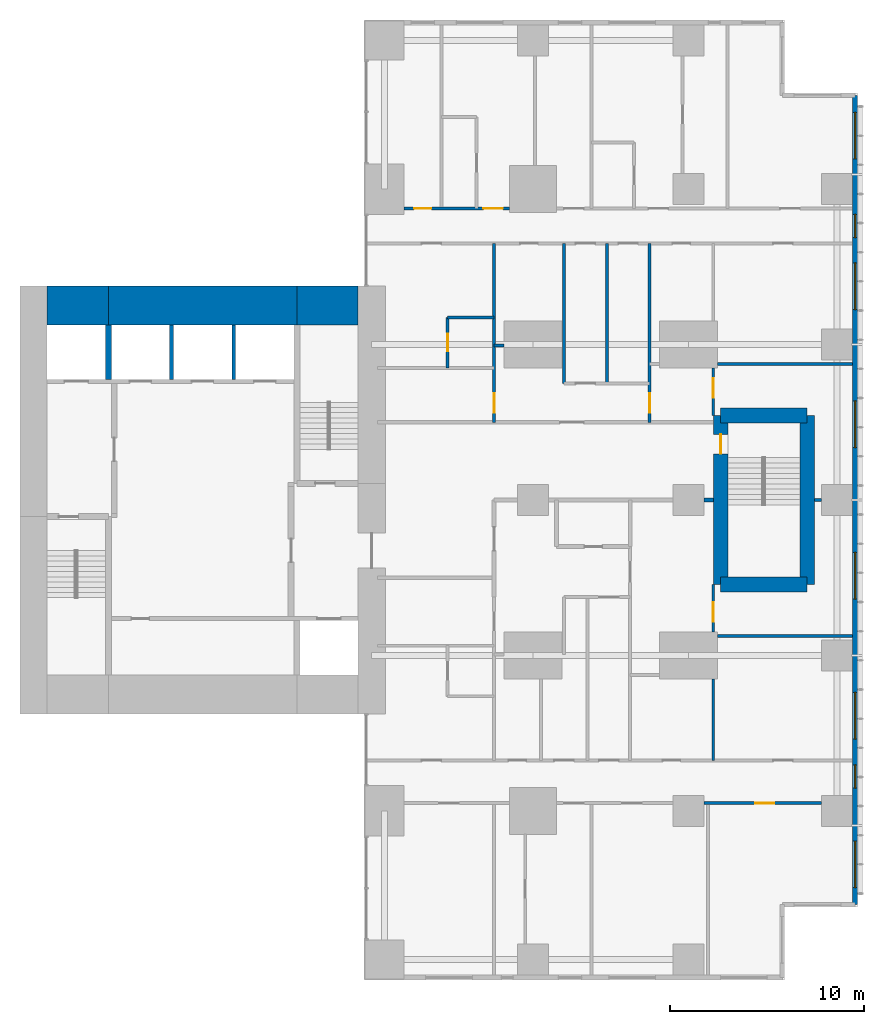
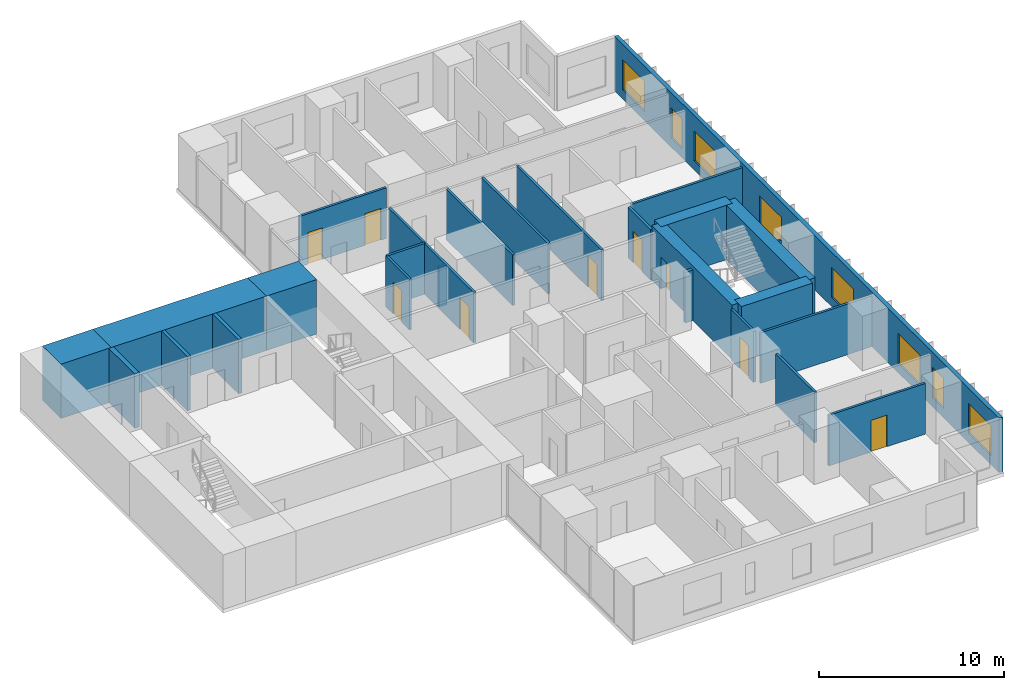
# One storey, part 9 of 12: 27 walls, 9 doors, 8 windows, 17 openings.
"""IFC4 building model written with IfcOpenShell, lengths in metres."""

from ifc_helpers import new_model, si_unit, direction, frame, frame_2d, origin, place, context, subcontext, project, spatial, rectangle, extrude, material, layer, layer_set, type_object, element, fill, save


model = new_model("IFC4")

# Units and contexts
model_context = context("Model", 3, precision=1e-05, world=origin(), true_north=direction((0.0, 1.0)))
body_context = subcontext(model_context, "Body", "Model", "MODEL_VIEW")
ifc_project = project(units=[si_unit("LENGTHUNIT", "METRE"), si_unit("AREAUNIT", "SQUARE_METRE"), si_unit("VOLUMEUNIT", "CUBIC_METRE"), si_unit("PLANEANGLEUNIT", "RADIAN"), si_unit("MASSUNIT", "GRAM", prefix="KILO")], contexts=[model_context])

# Site, building, storey
site_placement = place(None, origin())
site = spatial("IfcSite", under=ifc_project, at=site_placement, CompositionType="ELEMENT")
building_placement = place(site_placement, origin())
building = spatial("IfcBuilding", under=site, at=building_placement, Name="Cleftline Residences", CompositionType="ELEMENT")
storey_placement = place(building_placement, frame((0.0, 0.0, 244.800048828125)))
storey = spatial("IfcBuildingStorey", under=building, at=storey_placement, Name="L64", CompositionType="ELEMENT", Elevation=244.800048828125)

# Walls
ifc_material_1 = material(Name="Concrete B70", Category="concrete")
ifc_layer_1 = layer(ifc_material_1, 2.0)
ifc_layer_set_1 = layer_set([ifc_layer_1], Name="CORE WALL 2000")
wall_type_1 = type_object("IfcWallType", Name="CORE WALL 2000", PredefinedType="SHEAR", material=ifc_layer_set_1)
wall_1_placement = place(storey_placement, frame((25.0, 34.0, 0.0), z_axis=(0.0, 0.0, 1.0), x_axis=(1.0, 0.0, 0.0)))
element("IfcWall", 1, at=wall_1_placement, inside=storey, type_object=wall_type_1, Name="Core wall N1", PredefinedType="SHEAR", context=body_context, shape_type="SweptSolid", body=[
    extrude(rectangle(XDim=3.14990234375, YDim=2.0, at=frame_2d((1.574951171875, 0.0))), origin(), (0.0, 0.0, 1.0), 3.599853515625),
])
wall_2_placement = place(storey_placement, frame((28.14990234375, 34.0, 0.0), z_axis=(0.0, 0.0, 1.0), x_axis=(1.0, 0.0, 0.0)))
element("IfcWall", 2, at=wall_2_placement, inside=storey, type_object=wall_type_1, Name="Core wall N2", PredefinedType="SHEAR", context=body_context, shape_type="SweptSolid", body=[
    extrude(rectangle(XDim=9.7001953125, YDim=2.0, at=frame_2d((4.85009765625, 0.0))), origin(), (0.0, 0.0, 1.0), 3.599853515625),
])
wall_3_placement = place(storey_placement, frame((37.85009765625, 34.0, 0.0), z_axis=(0.0, 0.0, 1.0), x_axis=(1.0, 0.0, 0.0)))
element("IfcWall", 3, at=wall_3_placement, inside=storey, type_object=wall_type_1, Name="Core wall N3", PredefinedType="SHEAR", context=body_context, shape_type="SweptSolid", body=[
    extrude(rectangle(XDim=3.14990234375, YDim=2.0, at=frame_2d((1.574951171875, 0.0))), origin(), (0.0, 0.0, 1.0), 3.599853515625),
])
ifc_material_2 = material(Name="Concrete B70", Category="concrete")
ifc_layer_2 = layer(ifc_material_2, 0.300048828125)
ifc_layer_set_2 = layer_set([ifc_layer_2], Name="CORE WALL 300")
wall_type_2 = type_object("IfcWallType", Name="CORE WALL 300", PredefinedType="SHEAR", material=ifc_layer_set_2)
wall_4_placement = place(storey_placement, frame((28.14990234375, 30.199951171875, 0.0), z_axis=(0.0, 0.0, 1.0), x_axis=(0.0, 1.0, 0.0)))
element("IfcWall", 4, at=wall_4_placement, inside=storey, type_object=wall_type_2, Name="Lift shaft wall", PredefinedType="SHEAR", context=body_context, shape_type="SweptSolid", body=[
    extrude(rectangle(XDim=2.800048828125, YDim=0.300048828125, at=frame_2d((1.39990234375, 0.0))), origin(), (0.0, 0.0, 1.0), 3.599853515625),
])

# Wall, openings, windows
ifc_material_3 = material(Name="Rendered reinforced concrete blockwork", Category="masonry")
ifc_layer_3 = layer(ifc_material_3, 0.25)
ifc_layer_set_3 = layer_set([ifc_layer_3], Name="EXTERNAL WALL 250")
wall_type_3 = type_object("IfcWallType", Name="EXTERNAL WALL 250", PredefinedType="SOLIDWALL", material=ifc_layer_set_3)
wall_5_placement = place(storey_placement, frame((66.574951171875, 3.175048828125, 0.0), z_axis=(0.0, 0.0, 1.0), x_axis=(0.0, 1.0, 0.0)))
wall_5 = element("IfcWall", 5, at=wall_5_placement, inside=storey, type_object=wall_type_3, Name="External wall", PredefinedType="SOLIDWALL", context=body_context, shape_type="SweptSolid", body=[
    extrude(rectangle(XDim=41.64990234375, YDim=0.25, at=frame_2d((20.824951171875, 0.0))), origin(), (0.0, 0.0, 1.0), 3.599853515625),
])
opening_1_placement = place(wall_5_placement, frame((0.875, 0.0, 0.60009765625)))
opening_1 = element("IfcOpeningElement", 6, at=opening_1_placement, cuts=wall_5, Name="Opening W6", PredefinedType="OPENING", context=body_context, shape_type="SweptSolid", body=[
    extrude(rectangle(XDim=2.39990234375, YDim=2.0, at=frame_2d((1.199951171875, 1.0))), frame((0.0, 0.135009765625, 0.0), z_axis=(0.0, -1.0, 0.0), x_axis=(1.0, 0.0, 0.0)), (0.0, 0.0, 1.0), 0.27001953125),
])
opening_2_placement = place(wall_5_placement, frame((6.0, 0.0, 0.60009765625)))
opening_2 = element("IfcOpeningElement", 7, at=opening_2_placement, cuts=wall_5, Name="Opening W8", PredefinedType="OPENING", context=body_context, shape_type="SweptSolid", body=[
    extrude(rectangle(XDim=1.199951171875, YDim=2.0, at=frame_2d((0.60009765625, 1.0))), frame((0.0, 0.135009765625, 0.0), z_axis=(0.0, -1.0, 0.0), x_axis=(1.0, 0.0, 0.0)), (0.0, 0.0, 1.0), 0.27001953125),
])
opening_3_placement = place(wall_5_placement, frame((8.52490234375, 0.0, 0.60009765625)))
opening_3 = element("IfcOpeningElement", 8, at=opening_3_placement, cuts=wall_5, Name="Opening W6", PredefinedType="OPENING", context=body_context, shape_type="SweptSolid", body=[
    extrude(rectangle(XDim=2.39990234375, YDim=2.0, at=frame_2d((1.199951171875, 1.0))), frame((0.0, 0.135009765625, 0.0), z_axis=(0.0, -1.0, 0.0), x_axis=(1.0, 0.0, 0.0)), (0.0, 0.0, 1.0), 0.27001953125),
])
opening_4_placement = place(wall_5_placement, frame((15.72509765625, 0.0, 0.60009765625)))
opening_4 = element("IfcOpeningElement", 9, at=opening_4_placement, cuts=wall_5, Name="Opening W6", PredefinedType="OPENING", context=body_context, shape_type="SweptSolid", body=[
    extrude(rectangle(XDim=2.39990234375, YDim=2.0, at=frame_2d((1.199951171875, 1.0))), frame((0.0, 0.135009765625, 0.0), z_axis=(0.0, -1.0, 0.0), x_axis=(1.0, 0.0, 0.0)), (0.0, 0.0, 1.0), 0.27001953125),
])
opening_5_placement = place(wall_5_placement, frame((23.52490234375, 0.0, 0.60009765625)))
opening_5 = element("IfcOpeningElement", 10, at=opening_5_placement, cuts=wall_5, Name="Opening W6", PredefinedType="OPENING", context=body_context, shape_type="SweptSolid", body=[
    extrude(rectangle(XDim=2.39990234375, YDim=2.0, at=frame_2d((1.199951171875, 1.0))), frame((0.0, 0.135009765625, 0.0), z_axis=(0.0, -1.0, 0.0), x_axis=(1.0, 0.0, 0.0)), (0.0, 0.0, 1.0), 0.27001953125),
])
opening_6_placement = place(wall_5_placement, frame((30.625, 0.0, 0.60009765625)))
opening_6 = element("IfcOpeningElement", 11, at=opening_6_placement, cuts=wall_5, Name="Opening W6", PredefinedType="OPENING", context=body_context, shape_type="SweptSolid", body=[
    extrude(rectangle(XDim=2.39990234375, YDim=2.0, at=frame_2d((1.199951171875, 1.0))), frame((0.0, 0.135009765625, 0.0), z_axis=(0.0, -1.0, 0.0), x_axis=(1.0, 0.0, 0.0)), (0.0, 0.0, 1.0), 0.27001953125),
])
opening_7_placement = place(wall_5_placement, frame((34.324951171875, 0.0, 0.60009765625)))
opening_7 = element("IfcOpeningElement", 12, at=opening_7_placement, cuts=wall_5, Name="Opening W8", PredefinedType="OPENING", context=body_context, shape_type="SweptSolid", body=[
    extrude(rectangle(XDim=1.199951171875, YDim=2.0, at=frame_2d((0.60009765625, 1.0))), frame((0.0, 0.135009765625, 0.0), z_axis=(0.0, -1.0, 0.0), x_axis=(1.0, 0.0, 0.0)), (0.0, 0.0, 1.0), 0.27001953125),
])
opening_8_placement = place(wall_5_placement, frame((38.375, 0.0, 0.60009765625)))
opening_8 = element("IfcOpeningElement", 13, at=opening_8_placement, cuts=wall_5, Name="Opening W6", PredefinedType="OPENING", context=body_context, shape_type="SweptSolid", body=[
    extrude(rectangle(XDim=2.39990234375, YDim=2.0, at=frame_2d((1.199951171875, 1.0))), frame((0.0, 0.135009765625, 0.0), z_axis=(0.0, -1.0, 0.0), x_axis=(1.0, 0.0, 0.0)), (0.0, 0.0, 1.0), 0.27001953125),
])
ifc_material_4 = material(Name="Aluminium frame, clear double glazing", Category="aluminium")
window_type_1 = type_object("IfcWindowType", Name="WINDOW 1200X2000", PartitioningType="DOUBLE_PANEL_VERTICAL", PredefinedType="WINDOW", material=ifc_material_4)
window_1_placement = place(opening_2_placement, origin())
window_1 = element("IfcWindow", 14, at=window_1_placement, inside=storey, type_object=window_type_1, Name="Window", OverallHeight=2.0, OverallWidth=1.199951171875, PartitioningType="SINGLE_PANEL", PredefinedType="WINDOW", context=body_context, shape_type="SweptSolid", body=[
    extrude(rectangle(XDim=1.199951171875, YDim=2.0, at=frame_2d((0.60009765625, 1.0))), frame((0.0, 0.030029296875, 0.0), z_axis=(0.0, -1.0, 0.0), x_axis=(1.0, 0.0, 0.0)), (0.0, 0.0, 1.0), 0.06005859375),
])
fill(opening_2, window_1)
window_2_placement = place(opening_7_placement, origin())
window_2 = element("IfcWindow", 15, at=window_2_placement, inside=storey, type_object=window_type_1, Name="Window", OverallHeight=2.0, OverallWidth=1.199951171875, PartitioningType="SINGLE_PANEL", PredefinedType="WINDOW", context=body_context, shape_type="SweptSolid", body=[
    extrude(rectangle(XDim=1.199951171875, YDim=2.0, at=frame_2d((0.60009765625, 1.0))), frame((0.0, 0.030029296875, 0.0), z_axis=(0.0, -1.0, 0.0), x_axis=(1.0, 0.0, 0.0)), (0.0, 0.0, 1.0), 0.06005859375),
])
fill(opening_7, window_2)
ifc_material_5 = material(Name="Aluminium frame, clear double glazing", Category="aluminium")
window_type_2 = type_object("IfcWindowType", Name="WINDOW 2400X2000", PartitioningType="DOUBLE_PANEL_VERTICAL", PredefinedType="WINDOW", material=ifc_material_5)
window_3_placement = place(opening_1_placement, origin())
window_3 = element("IfcWindow", 16, at=window_3_placement, inside=storey, type_object=window_type_2, Name="Window", OverallHeight=2.0, OverallWidth=2.39990234375, PartitioningType="SINGLE_PANEL", PredefinedType="WINDOW", context=body_context, shape_type="SweptSolid", body=[
    extrude(rectangle(XDim=2.39990234375, YDim=2.0, at=frame_2d((1.199951171875, 1.0))), frame((0.0, 0.030029296875, 0.0), z_axis=(0.0, -1.0, 0.0), x_axis=(1.0, 0.0, 0.0)), (0.0, 0.0, 1.0), 0.06005859375),
])
fill(opening_1, window_3)
window_4_placement = place(opening_3_placement, origin())
window_4 = element("IfcWindow", 17, at=window_4_placement, inside=storey, type_object=window_type_2, Name="Window", OverallHeight=2.0, OverallWidth=2.39990234375, PartitioningType="SINGLE_PANEL", PredefinedType="WINDOW", context=body_context, shape_type="SweptSolid", body=[
    extrude(rectangle(XDim=2.39990234375, YDim=2.0, at=frame_2d((1.199951171875, 1.0))), frame((0.0, 0.030029296875, 0.0), z_axis=(0.0, -1.0, 0.0), x_axis=(1.0, 0.0, 0.0)), (0.0, 0.0, 1.0), 0.06005859375),
])
fill(opening_3, window_4)
window_5_placement = place(opening_4_placement, origin())
window_5 = element("IfcWindow", 18, at=window_5_placement, inside=storey, type_object=window_type_2, Name="Window", OverallHeight=2.0, OverallWidth=2.39990234375, PartitioningType="SINGLE_PANEL", PredefinedType="WINDOW", context=body_context, shape_type="SweptSolid", body=[
    extrude(rectangle(XDim=2.39990234375, YDim=2.0, at=frame_2d((1.199951171875, 1.0))), frame((0.0, 0.030029296875, 0.0), z_axis=(0.0, -1.0, 0.0), x_axis=(1.0, 0.0, 0.0)), (0.0, 0.0, 1.0), 0.06005859375),
])
fill(opening_4, window_5)
window_6_placement = place(opening_5_placement, origin())
window_6 = element("IfcWindow", 19, at=window_6_placement, inside=storey, type_object=window_type_2, Name="Window", OverallHeight=2.0, OverallWidth=2.39990234375, PartitioningType="SINGLE_PANEL", PredefinedType="WINDOW", context=body_context, shape_type="SweptSolid", body=[
    extrude(rectangle(XDim=2.39990234375, YDim=2.0, at=frame_2d((1.199951171875, 1.0))), frame((0.0, 0.030029296875, 0.0), z_axis=(0.0, -1.0, 0.0), x_axis=(1.0, 0.0, 0.0)), (0.0, 0.0, 1.0), 0.06005859375),
])
fill(opening_5, window_6)
window_7_placement = place(opening_6_placement, origin())
window_7 = element("IfcWindow", 20, at=window_7_placement, inside=storey, type_object=window_type_2, Name="Window", OverallHeight=2.0, OverallWidth=2.39990234375, PartitioningType="SINGLE_PANEL", PredefinedType="WINDOW", context=body_context, shape_type="SweptSolid", body=[
    extrude(rectangle(XDim=2.39990234375, YDim=2.0, at=frame_2d((1.199951171875, 1.0))), frame((0.0, 0.030029296875, 0.0), z_axis=(0.0, -1.0, 0.0), x_axis=(1.0, 0.0, 0.0)), (0.0, 0.0, 1.0), 0.06005859375),
])
fill(opening_6, window_7)
window_8_placement = place(opening_8_placement, origin())
window_8 = element("IfcWindow", 21, at=window_8_placement, inside=storey, type_object=window_type_2, Name="Window", OverallHeight=2.0, OverallWidth=2.39990234375, PartitioningType="SINGLE_PANEL", PredefinedType="WINDOW", context=body_context, shape_type="SweptSolid", body=[
    extrude(rectangle(XDim=2.39990234375, YDim=2.0, at=frame_2d((1.199951171875, 1.0))), frame((0.0, 0.030029296875, 0.0), z_axis=(0.0, -1.0, 0.0), x_axis=(1.0, 0.0, 0.0)), (0.0, 0.0, 1.0), 0.06005859375),
])
fill(opening_8, window_8)

# Wall
ifc_material_6 = material(Name="Concrete blockwork, fire rated", Category="masonry")
ifc_layer_4 = layer(ifc_material_6, 0.199951171875)
ifc_layer_set_4 = layer_set([ifc_layer_4], Name="FIRE WALL 200")
wall_type_4 = type_object("IfcWallType", Name="FIRE WALL 200", PredefinedType="PARTITIONING", material=ifc_layer_set_4)
wall_6_placement = place(storey_placement, frame((58.800048828125, 24.0, 0.0), z_axis=(0.0, 0.0, 1.0), x_axis=(1.0, 0.0, 0.0)))
element("IfcWall", 22, at=wall_6_placement, inside=storey, type_object=wall_type_4, Name="Fire separating wall", PredefinedType="PARTITIONING", context=body_context, shape_type="SweptSolid", body=[
    extrude(rectangle(XDim=0.474853515625, YDim=0.199951171875, at=frame_2d((0.2373046875, 0.0))), origin(), (0.0, 0.0, 1.0), 3.349853515625),
])

# Wall, opening, door
ifc_material_7 = material(Name="Gypsum board on steel studs", Category="steel")
ifc_layer_5 = layer(ifc_material_7, 0.14990234375)
ifc_layer_set_5 = layer_set([ifc_layer_5], Name="PARTITION 150")
wall_type_5 = type_object("IfcWallType", Name="PARTITION 150", PredefinedType="PARTITIONING", material=ifc_layer_set_5)
wall_7_placement = place(storey_placement, frame((58.800048828125, 8.39990234375, 0.0), z_axis=(0.0, 0.0, 1.0), x_axis=(1.0, 0.0, 0.0)))
wall_7 = element("IfcWall", 23, at=wall_7_placement, inside=storey, type_object=wall_type_5, Name="Partition", PredefinedType="PARTITIONING", context=body_context, shape_type="SweptSolid", body=[
    extrude(rectangle(XDim=6.050048828125, YDim=0.14990234375, at=frame_2d((3.02490234375, 0.0))), origin(), (0.0, 0.0, 1.0), 3.349853515625),
])
opening_9_placement = place(wall_7_placement, frame((2.625, 0.0, 0.0)))
opening_9 = element("IfcOpeningElement", 24, at=opening_9_placement, cuts=wall_7, Name="Opening D2", PredefinedType="OPENING", context=body_context, shape_type="SweptSolid", body=[
    extrude(rectangle(XDim=1.0, YDim=2.10009765625, at=frame_2d((0.5, 1.050048828125))), frame((0.0, 0.0849609375, 0.0), z_axis=(0.0, -1.0, 0.0), x_axis=(1.0, 0.0, 0.0)), (0.0, 0.0, 1.0), 0.169921875),
])
ifc_material_8 = material(Name="Timber veneer on solid core", Category="wood")
door_type_1 = type_object("IfcDoorType", Name="DOOR 1000X2100", OperationType="SINGLE_SWING_LEFT", PredefinedType="DOOR", material=ifc_material_8)
door_1_placement = place(opening_9_placement, origin())
door_1 = element("IfcDoor", 25, at=door_1_placement, inside=storey, type_object=door_type_1, Name="Door to music room", OperationType="SINGLE_SWING_LEFT", OverallHeight=2.10009765625, OverallWidth=1.0, PredefinedType="DOOR", context=body_context, shape_type="SweptSolid", body=[
    extrude(rectangle(XDim=1.0, YDim=2.10009765625, at=frame_2d((0.5, 1.050048828125))), frame((0.0, 0.02490234375, 0.0), z_axis=(0.0, -1.0, 0.0), x_axis=(1.0, 0.0, 0.0)), (0.0, 0.0, 1.0), 0.050048828125),
])
fill(opening_9, door_1)

# Walls
wall_8_placement = place(storey_placement, frame((59.5, 17.0, 0.0), z_axis=(0.0, 0.0, 1.0), x_axis=(1.0, 0.0, 0.0)))
element("IfcWall", 26, at=wall_8_placement, inside=storey, type_object=wall_type_5, Name="Partition", PredefinedType="PARTITIONING", context=body_context, shape_type="SweptSolid", body=[
    extrude(rectangle(XDim=6.949951171875, YDim=0.14990234375, at=frame_2d((3.47509765625, 0.0))), origin(), (0.0, 0.0, 1.0), 3.349853515625),
])
wall_9_placement = place(storey_placement, frame((64.47509765625, 24.0, 0.0), z_axis=(0.0, 0.0, 1.0), x_axis=(1.0, 0.0, 0.0)))
element("IfcWall", 27, at=wall_9_placement, inside=storey, type_object=wall_type_5, Name="Partition", PredefinedType="PARTITIONING", context=body_context, shape_type="SweptSolid", body=[
    extrude(rectangle(XDim=0.375, YDim=0.14990234375, at=frame_2d((0.1875, 0.0))), origin(), (0.0, 0.0, 1.0), 3.349853515625),
])
wall_10_placement = place(storey_placement, frame((59.5, 31.0, 0.0), z_axis=(0.0, 0.0, 1.0), x_axis=(1.0, 0.0, 0.0)))
element("IfcWall", 28, at=wall_10_placement, inside=storey, type_object=wall_type_5, Name="Partition", PredefinedType="PARTITIONING", context=body_context, shape_type="SweptSolid", body=[
    extrude(rectangle(XDim=6.949951171875, YDim=0.14990234375, at=frame_2d((3.47509765625, 0.0))), origin(), (0.0, 0.0, 1.0), 3.349853515625),
])
wall_11_placement = place(storey_placement, frame((48.0, 31.949951171875, 0.0), z_axis=(0.0, 0.0, 1.0), x_axis=(1.0, 0.0, 0.0)))
element("IfcWall", 29, at=wall_11_placement, inside=storey, type_object=wall_type_5, Name="Partition", PredefinedType="PARTITIONING", context=body_context, shape_type="SweptSolid", body=[
    extrude(rectangle(XDim=0.5, YDim=0.14990234375, at=frame_2d((0.25, 0.0))), origin(), (0.0, 0.0, 1.0), 2.634033203125),
])
wall_12_placement = place(storey_placement, frame((45.60009765625, 33.39990234375, 0.0), z_axis=(0.0, 0.0, 1.0), x_axis=(1.0, 0.0, 0.0)))
element("IfcWall", 30, at=wall_12_placement, inside=storey, type_object=wall_type_5, Name="Partition", PredefinedType="PARTITIONING", context=body_context, shape_type="SweptSolid", body=[
    extrude(rectangle(XDim=2.39990234375, YDim=0.14990234375, at=frame_2d((1.199951171875, 0.0))), origin(), (0.0, 0.0, 1.0), 3.349853515625),
])

# Wall, openings, doors
wall_13_placement = place(storey_placement, frame((43.35009765625, 39.0, 0.0), z_axis=(0.0, 0.0, 1.0), x_axis=(1.0, 0.0, 0.0)))
wall_13 = element("IfcWall", 31, at=wall_13_placement, inside=storey, type_object=wall_type_5, Name="Partition", PredefinedType="PARTITIONING", context=body_context, shape_type="SweptSolid", body=[
    extrude(rectangle(XDim=5.449951171875, YDim=0.14990234375, at=frame_2d((2.72509765625, 0.0))), origin(), (0.0, 0.0, 1.0), 3.349853515625),
])
opening_10_placement = place(wall_13_placement, frame((4.10009765625, 0.0, 0.0)))
opening_10 = element("IfcOpeningElement", 32, at=opening_10_placement, cuts=wall_13, Name="Opening D2", PredefinedType="OPENING", context=body_context, shape_type="SweptSolid", body=[
    extrude(rectangle(XDim=1.0, YDim=2.10009765625, at=frame_2d((0.5, 1.050048828125))), frame((0.0, 0.0849609375, 0.0), z_axis=(0.0, -1.0, 0.0), x_axis=(1.0, 0.0, 0.0)), (0.0, 0.0, 1.0), 0.169921875),
])
opening_11_placement = place(wall_13_placement, frame((0.52490234375, 0.0, 0.0)))
opening_11 = element("IfcOpeningElement", 33, at=opening_11_placement, cuts=wall_13, Name="Opening D1", PredefinedType="OPENING", context=body_context, shape_type="SweptSolid", body=[
    extrude(rectangle(XDim=0.89990234375, YDim=2.10009765625, at=frame_2d((0.449951171875, 1.050048828125))), frame((0.0, 0.0849609375, 0.0), z_axis=(0.0, -1.0, 0.0), x_axis=(1.0, 0.0, 0.0)), (0.0, 0.0, 1.0), 0.169921875),
])
door_2_placement = place(opening_10_placement, origin())
door_2 = element("IfcDoor", 34, at=door_2_placement, inside=storey, type_object=door_type_1, Name="Door to bedroom 3", OperationType="SINGLE_SWING_LEFT", OverallHeight=2.10009765625, OverallWidth=1.0, PredefinedType="DOOR", context=body_context, shape_type="SweptSolid", body=[
    extrude(rectangle(XDim=1.0, YDim=2.10009765625, at=frame_2d((0.5, 1.050048828125))), frame((0.0, 0.02490234375, 0.0), z_axis=(0.0, -1.0, 0.0), x_axis=(1.0, 0.0, 0.0)), (0.0, 0.0, 1.0), 0.050048828125),
])
fill(opening_10, door_2)
ifc_material_9 = material(Name="Timber veneer on solid core", Category="wood")
door_type_2 = type_object("IfcDoorType", Name="DOOR 900X2100", OperationType="SINGLE_SWING_LEFT", PredefinedType="DOOR", material=ifc_material_9)
door_3_placement = place(opening_11_placement, origin())
door_3 = element("IfcDoor", 35, at=door_3_placement, inside=storey, type_object=door_type_2, Name="Door to dressing room", OperationType="SINGLE_SWING_RIGHT", OverallHeight=2.10009765625, OverallWidth=0.89990234375, PredefinedType="DOOR", context=body_context, shape_type="SweptSolid", body=[
    extrude(rectangle(XDim=0.89990234375, YDim=2.10009765625, at=frame_2d((0.449951171875, 1.050048828125))), frame((0.0, 0.02490234375, 0.0), z_axis=(0.0, -1.0, 0.0), x_axis=(1.0, 0.0, 0.0)), (0.0, 0.0, 1.0), 0.050048828125),
])
fill(opening_11, door_3)

# Wall, opening, door
wall_14_placement = place(storey_placement, frame((45.60009765625, 30.800048828125, 0.0), z_axis=(0.0, 0.0, 1.0), x_axis=(0.0, 1.0, 0.0)))
wall_14 = element("IfcWall", 36, at=wall_14_placement, inside=storey, type_object=wall_type_5, Name="Partition", PredefinedType="PARTITIONING", context=body_context, shape_type="SweptSolid", body=[
    extrude(rectangle(XDim=2.599853515625, YDim=0.14990234375, at=frame_2d((1.2998046875, 0.0))), origin(), (0.0, 0.0, 1.0), 3.349853515625),
])
opening_12_placement = place(wall_14_placement, frame((0.85009765625, 0.0, 0.0)))
opening_12 = element("IfcOpeningElement", 37, at=opening_12_placement, cuts=wall_14, Name="Opening D1", PredefinedType="OPENING", context=body_context, shape_type="SweptSolid", body=[
    extrude(rectangle(XDim=0.89990234375, YDim=2.10009765625, at=frame_2d((0.449951171875, 1.050048828125))), frame((0.0, 0.0849609375, 0.0), z_axis=(0.0, -1.0, 0.0), x_axis=(1.0, 0.0, 0.0)), (0.0, 0.0, 1.0), 0.169921875),
])
door_4_placement = place(opening_12_placement, origin())
door_4 = element("IfcDoor", 38, at=door_4_placement, inside=storey, type_object=door_type_2, Name="Door to en-suite bathroom 4", OperationType="SINGLE_SWING_LEFT", OverallHeight=2.10009765625, OverallWidth=0.89990234375, PredefinedType="DOOR", context=body_context, shape_type="SweptSolid", body=[
    extrude(rectangle(XDim=0.89990234375, YDim=2.10009765625, at=frame_2d((0.449951171875, 1.050048828125))), frame((0.0, 0.02490234375, 0.0), z_axis=(0.0, -1.0, 0.0), x_axis=(1.0, 0.0, 0.0)), (0.0, 0.0, 1.0), 0.050048828125),
])
fill(opening_12, door_4)

wall_15_placement = place(storey_placement, frame((48.0, 28.0, 0.0), z_axis=(0.0, 0.0, 1.0), x_axis=(0.0, 1.0, 0.0)))
wall_15 = element("IfcWall", 39, at=wall_15_placement, inside=storey, type_object=wall_type_5, Name="Partition", PredefinedType="PARTITIONING", context=body_context, shape_type="SweptSolid", body=[
    extrude(rectangle(XDim=9.199951171875, YDim=0.14990234375, at=frame_2d((4.60009765625, 0.0))), origin(), (0.0, 0.0, 1.0), 3.349853515625),
])
opening_13_placement = place(wall_15_placement, frame((0.5, 0.0, 0.0)))
opening_13 = element("IfcOpeningElement", 40, at=opening_13_placement, cuts=wall_15, Name="Opening D2", PredefinedType="OPENING", context=body_context, shape_type="SweptSolid", body=[
    extrude(rectangle(XDim=1.0, YDim=2.10009765625, at=frame_2d((0.5, 1.050048828125))), frame((0.0, 0.0849609375, 0.0), z_axis=(0.0, -1.0, 0.0), x_axis=(1.0, 0.0, 0.0)), (0.0, 0.0, 1.0), 0.169921875),
])
door_5_placement = place(opening_13_placement, origin())
door_5 = element("IfcDoor", 41, at=door_5_placement, inside=storey, type_object=door_type_1, Name="Door to morning kitchen", OperationType="SINGLE_SWING_RIGHT", OverallHeight=2.10009765625, OverallWidth=1.0, PredefinedType="DOOR", context=body_context, shape_type="SweptSolid", body=[
    extrude(rectangle(XDim=1.0, YDim=2.10009765625, at=frame_2d((0.5, 1.050048828125))), frame((0.0, 0.02490234375, 0.0), z_axis=(0.0, -1.0, 0.0), x_axis=(1.0, 0.0, 0.0)), (0.0, 0.0, 1.0), 0.050048828125),
])
fill(opening_13, door_5)

# Walls
for number, where, z_axis, x_axis, name in (
    (42, (51.60009765625, 30.0, 0.0), (0.0, 0.0, 1.0), (0.0, 1.0, 0.0), "Partition"),
    (43, (53.800048828125, 30.0, 0.0), (0.0, 0.0, 1.0), (0.0, 1.0, 0.0), "Partition"),
):
    element("IfcWall", number, at=place(storey_placement, frame(where, z_axis=z_axis, x_axis=x_axis)), inside=storey, type_object=wall_type_5, Name=name, PredefinedType="PARTITIONING", context=body_context, shape_type="SweptSolid", body=[
        extrude(rectangle(XDim=7.199951171875, YDim=0.14990234375, at=frame_2d((3.60009765625, 0.0))), origin(), (0.0, 0.0, 1.0), 3.349853515625),
    ])

# Wall, opening, door
wall_16_placement = place(storey_placement, frame((56.0, 28.0, 0.0), z_axis=(0.0, 0.0, 1.0), x_axis=(0.0, 1.0, 0.0)))
wall_16 = element("IfcWall", 44, at=wall_16_placement, inside=storey, type_object=wall_type_5, Name="Partition", PredefinedType="PARTITIONING", context=body_context, shape_type="SweptSolid", body=[
    extrude(rectangle(XDim=9.199951171875, YDim=0.14990234375, at=frame_2d((4.60009765625, 0.0))), origin(), (0.0, 0.0, 1.0), 3.349853515625),
])
opening_14_placement = place(wall_16_placement, frame((0.5, 0.0, 0.0)))
opening_14 = element("IfcOpeningElement", 45, at=opening_14_placement, cuts=wall_16, Name="Opening D2F30", PredefinedType="OPENING", context=body_context, shape_type="SweptSolid", body=[
    extrude(rectangle(XDim=1.0, YDim=2.10009765625, at=frame_2d((0.5, 1.050048828125))), frame((0.0, 0.0849609375, 0.0), z_axis=(0.0, -1.0, 0.0), x_axis=(1.0, 0.0, 0.0)), (0.0, 0.0, 1.0), 0.169921875),
])
ifc_material_10 = material(Name="Timber veneer on solid core", Category="wood")
door_type_3 = type_object("IfcDoorType", Name="DOOR 1000X2100 EI 30", OperationType="SINGLE_SWING_LEFT", PredefinedType="DOOR", material=ifc_material_10)
door_6_placement = place(opening_14_placement, origin())
door_6 = element("IfcDoor", 46, at=door_6_placement, inside=storey, type_object=door_type_3, Name="Door to residence lobby (service)", OperationType="SINGLE_SWING_RIGHT", OverallHeight=2.10009765625, OverallWidth=1.0, PredefinedType="DOOR", context=body_context, shape_type="SweptSolid", body=[
    extrude(rectangle(XDim=1.0, YDim=2.10009765625, at=frame_2d((0.5, 1.050048828125))), frame((0.0, 0.02490234375, 0.0), z_axis=(0.0, -1.0, 0.0), x_axis=(1.0, 0.0, 0.0)), (0.0, 0.0, 1.0), 0.050048828125),
])
fill(opening_14, door_6)

# Wall
wall_17_placement = place(storey_placement, frame((59.27490234375, 10.60009765625, 0.0), z_axis=(0.0, 0.0, 1.0), x_axis=(0.0, 1.0, 0.0)))
element("IfcWall", 47, at=wall_17_placement, inside=storey, type_object=wall_type_5, Name="Partition", PredefinedType="PARTITIONING", context=body_context, shape_type="SweptSolid", body=[
    extrude(rectangle(XDim=4.199951171875, YDim=0.14990234375, at=frame_2d((2.10009765625, 0.0))), origin(), (0.0, 0.0, 1.0), 3.349853515625),
])

# Wall, opening, door
wall_18_placement = place(storey_placement, frame((59.27490234375, 17.199951171875, 0.0), z_axis=(0.0, 0.0, 1.0), x_axis=(0.0, 1.0, 0.0)))
wall_18 = element("IfcWall", 48, at=wall_18_placement, inside=storey, type_object=wall_type_5, Name="Partition", PredefinedType="PARTITIONING", context=body_context, shape_type="SweptSolid", body=[
    extrude(rectangle(XDim=2.449951171875, YDim=0.14990234375, at=frame_2d((1.22509765625, 0.0))), origin(), (0.0, 0.0, 1.0), 3.349853515625),
])
opening_15_placement = place(wall_18_placement, frame((0.53759765625, 0.0, 0.0)))
opening_15 = element("IfcOpeningElement", 49, at=opening_15_placement, cuts=wall_18, Name="Opening D2", PredefinedType="OPENING", context=body_context, shape_type="SweptSolid", body=[
    extrude(rectangle(XDim=1.0, YDim=2.10009765625, at=frame_2d((0.5, 1.050048828125))), frame((0.0, 0.0849609375, 0.0), z_axis=(0.0, -1.0, 0.0), x_axis=(1.0, 0.0, 0.0)), (0.0, 0.0, 1.0), 0.169921875),
])
door_7_placement = place(opening_15_placement, origin())
door_7 = element("IfcDoor", 50, at=door_7_placement, inside=storey, type_object=door_type_1, Name="Door to altar room", OperationType="SINGLE_SWING_RIGHT", OverallHeight=2.10009765625, OverallWidth=1.0, PredefinedType="DOOR", context=body_context, shape_type="SweptSolid", body=[
    extrude(rectangle(XDim=1.0, YDim=2.10009765625, at=frame_2d((0.5, 1.050048828125))), frame((0.0, 0.02490234375, 0.0), z_axis=(0.0, -1.0, 0.0), x_axis=(1.0, 0.0, 0.0)), (0.0, 0.0, 1.0), 0.050048828125),
])
fill(opening_15, door_7)

wall_19_placement = place(storey_placement, frame((59.27490234375, 28.35009765625, 0.0), z_axis=(0.0, 0.0, 1.0), x_axis=(0.0, 1.0, 0.0)))
wall_19 = element("IfcWall", 51, at=wall_19_placement, inside=storey, type_object=wall_type_5, Name="Partition", PredefinedType="PARTITIONING", context=body_context, shape_type="SweptSolid", body=[
    extrude(rectangle(XDim=2.449951171875, YDim=0.14990234375, at=frame_2d((1.22509765625, 0.0))), origin(), (0.0, 0.0, 1.0), 3.349853515625),
])
opening_16_placement = place(wall_19_placement, frame((0.91259765625, 0.0, 0.0)))
opening_16 = element("IfcOpeningElement", 52, at=opening_16_placement, cuts=wall_19, Name="Opening D2", PredefinedType="OPENING", context=body_context, shape_type="SweptSolid", body=[
    extrude(rectangle(XDim=1.0, YDim=2.10009765625, at=frame_2d((0.5, 1.050048828125))), frame((0.0, 0.0849609375, 0.0), z_axis=(0.0, -1.0, 0.0), x_axis=(1.0, 0.0, 0.0)), (0.0, 0.0, 1.0), 0.169921875),
])
door_8_placement = place(opening_16_placement, origin())
door_8 = element("IfcDoor", 53, at=door_8_placement, inside=storey, type_object=door_type_1, Name="Door to altar room", OperationType="SINGLE_SWING_LEFT", OverallHeight=2.10009765625, OverallWidth=1.0, PredefinedType="DOOR", context=body_context, shape_type="SweptSolid", body=[
    extrude(rectangle(XDim=1.0, YDim=2.10009765625, at=frame_2d((0.5, 1.050048828125))), frame((0.0, 0.02490234375, 0.0), z_axis=(0.0, -1.0, 0.0), x_axis=(1.0, 0.0, 0.0)), (0.0, 0.0, 1.0), 0.050048828125),
])
fill(opening_16, door_8)

# Walls
ifc_material_11 = material(Name="Concrete blockwork, fire rated", Category="masonry")
ifc_layer_6 = layer(ifc_material_11, 0.199951171875)
ifc_layer_set_6 = layer_set([ifc_layer_6], Name="SHAFT WALL 200")
wall_type_6 = type_object("IfcWallType", Name="SHAFT WALL 200", PredefinedType="PARTITIONING", material=ifc_layer_set_6)
for number, where, z_axis, x_axis, name in (
    (54, (31.39990234375, 30.199951171875, 0.0), (0.0, 0.0, 1.0), (0.0, 1.0, 0.0), "Lift shaft wall"),
    (55, (34.60009765625, 30.199951171875, 0.0), (0.0, 0.0, 1.0), (0.0, 1.0, 0.0), "Lift shaft wall"),
):
    element("IfcWall", number, at=place(storey_placement, frame(where, z_axis=z_axis, x_axis=x_axis)), inside=storey, type_object=wall_type_6, Name=name, PredefinedType="PARTITIONING", context=body_context, shape_type="SweptSolid", body=[
        extrude(rectangle(XDim=2.800048828125, YDim=0.199951171875, at=frame_2d((1.39990234375, 0.0))), origin(), (0.0, 0.0, 1.0), 3.599853515625),
    ])
ifc_material_12 = material(Name="Concrete B70", Category="concrete")
ifc_layer_7 = layer(ifc_material_12, 0.75)
ifc_layer_set_7 = layer_set([ifc_layer_7], Name="SHEAR WALL 750")
wall_type_7 = type_object("IfcWallType", Name="SHEAR WALL 750", PredefinedType="SHEAR", material=ifc_layer_set_7)
wall_20_placement = place(storey_placement, frame((59.64990234375, 19.64990234375, 0.0), z_axis=(0.0, 0.0, 1.0), x_axis=(1.0, 0.0, 0.0)))
element("IfcWall", 56, at=wall_20_placement, inside=storey, type_object=wall_type_7, Name="Wing shear wall", PredefinedType="SHEAR", context=body_context, shape_type="SweptSolid", body=[
    extrude(rectangle(XDim=4.4501953125, YDim=0.75, at=frame_2d((2.22509765625, 0.0))), origin(), (0.0, 0.0, 1.0), 3.599853515625),
])
wall_21_placement = place(storey_placement, frame((64.10009765625, 19.64990234375, 0.0), z_axis=(0.0, 0.0, 1.0), x_axis=(0.0, 1.0, 0.0)))
element("IfcWall", 57, at=wall_21_placement, inside=storey, type_object=wall_type_7, Name="Wing shear wall", PredefinedType="SHEAR", context=body_context, shape_type="SweptSolid", body=[
    extrude(rectangle(XDim=8.7001953125, YDim=0.75, at=frame_2d((4.35009765625, 0.0))), origin(), (0.0, 0.0, 1.0), 3.599853515625),
])
wall_22_placement = place(storey_placement, frame((64.10009765625, 28.35009765625, 0.0), z_axis=(0.0, 0.0, 1.0), x_axis=(-1.0, 0.0, 0.0)))
element("IfcWall", 58, at=wall_22_placement, inside=storey, type_object=wall_type_7, Name="Wing shear wall", PredefinedType="SHEAR", context=body_context, shape_type="SweptSolid", body=[
    extrude(rectangle(XDim=4.4501953125, YDim=0.75, at=frame_2d((2.22509765625, 0.0))), origin(), (0.0, 0.0, 1.0), 3.599853515625),
])

# Wall, opening, door
wall_23_placement = place(storey_placement, frame((59.64990234375, 28.35009765625, 0.0), z_axis=(0.0, 0.0, 1.0), x_axis=(0.0, -1.0, 0.0)))
wall_23 = element("IfcWall", 59, at=wall_23_placement, inside=storey, type_object=wall_type_7, Name="Wing shear wall", PredefinedType="SHEAR", context=body_context, shape_type="SweptSolid", body=[
    extrude(rectangle(XDim=8.7001953125, YDim=0.75, at=frame_2d((4.35009765625, 0.0))), origin(), (0.0, 0.0, 1.0), 3.599853515625),
])
opening_17_placement = place(wall_23_placement, frame((0.97509765625, 0.0, 0.0)))
opening_17 = element("IfcOpeningElement", 60, at=opening_17_placement, cuts=wall_23, Name="Opening D5", PredefinedType="OPENING", context=body_context, shape_type="SweptSolid", body=[
    extrude(rectangle(XDim=1.0, YDim=2.10009765625, at=frame_2d((0.5, 1.050048828125))), frame((0.0, 0.385009765625, 0.0), z_axis=(0.0, -1.0, 0.0), x_axis=(1.0, 0.0, 0.0)), (0.0, 0.0, 1.0), 0.77001953125),
])
ifc_material_13 = material(Name="Steel", Category="steel")
door_type_4 = type_object("IfcDoorType", Name="STAIR DOOR 1000X2100", OperationType="SINGLE_SWING_LEFT", PredefinedType="DOOR", material=ifc_material_13)
door_9_placement = place(opening_17_placement, origin())
door_9 = element("IfcDoor", 61, at=door_9_placement, inside=storey, type_object=door_type_4, Name="Stair E door", OperationType="SINGLE_SWING_RIGHT", OverallHeight=2.10009765625, OverallWidth=1.0, PredefinedType="DOOR", context=body_context, shape_type="SweptSolid", body=[
    extrude(rectangle(XDim=1.0, YDim=2.10009765625, at=frame_2d((0.5, 1.050048828125))), frame((0.0, 0.02490234375, 0.0), z_axis=(0.0, -1.0, 0.0), x_axis=(1.0, 0.0, 0.0)), (0.0, 0.0, 1.0), 0.050048828125),
])
fill(opening_17, door_9)

save(model, "model.ifc")
